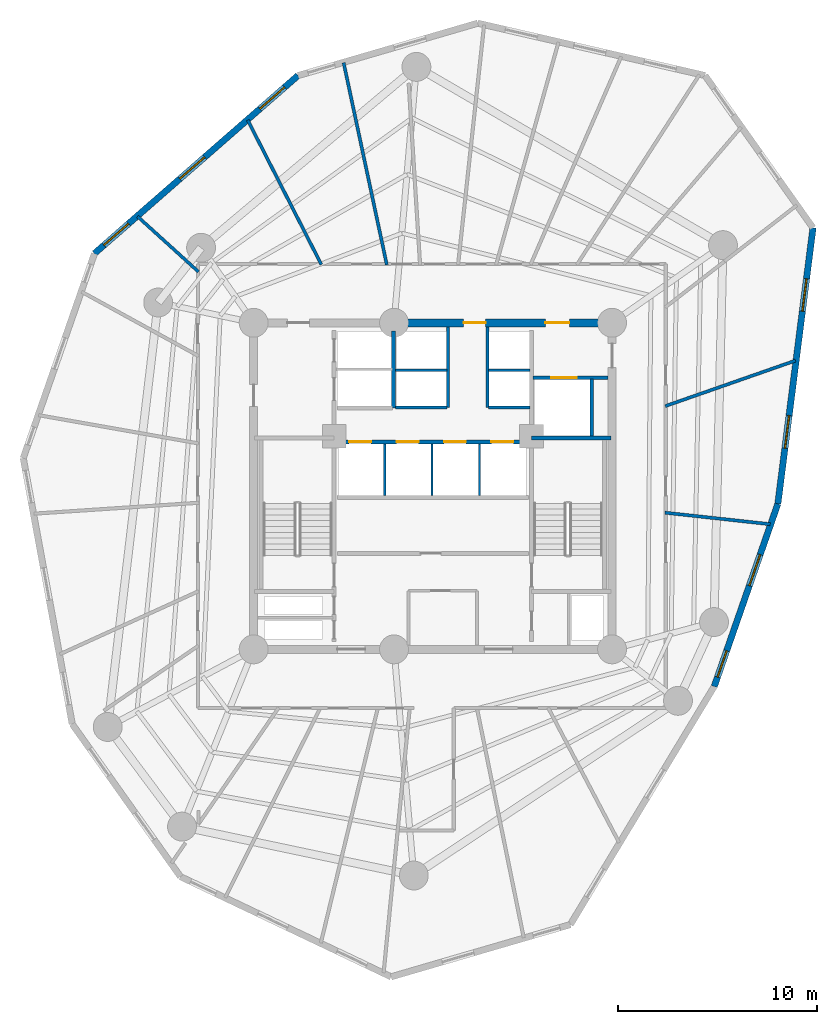
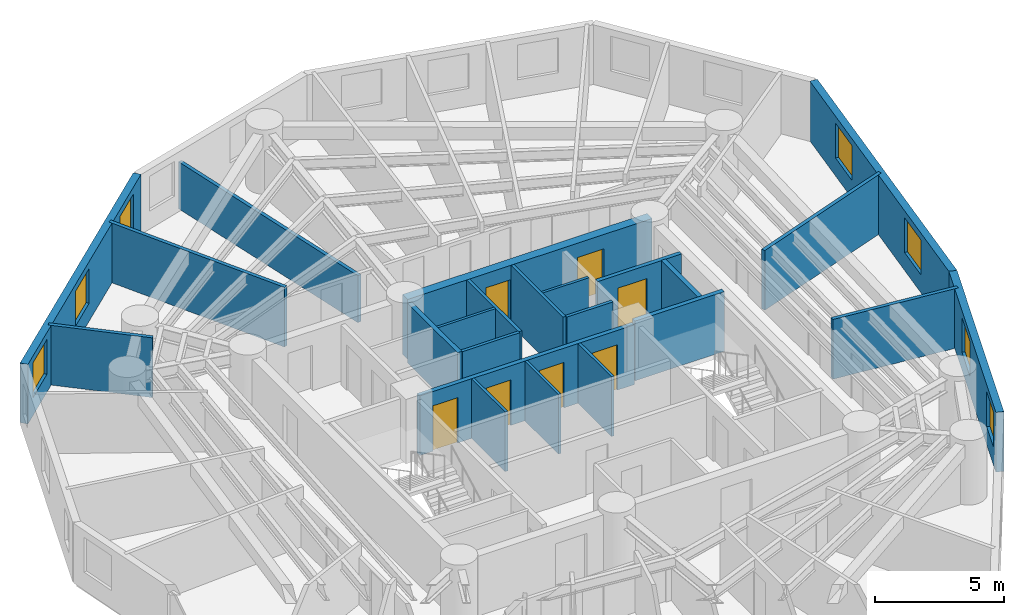
# One storey, part 5 of 7: 23 walls, 7 doors, 7 windows, 14 openings.
"""IFC4 building model written with IfcOpenShell, lengths in metres."""

from ifc_helpers import new_model, si_unit, direction, frame, frame_2d, origin, origin_with_axes, place, context, subcontext, project, spatial, rectangle, extrude, source, transform, mapped, material, layer, layer_set, type_object, element, fill, save


model = new_model("IFC4")

# Units and contexts
model_context = context("Model", 3, precision=1e-05, world=origin(), true_north=direction((0.0, 1.0)))
body_context = subcontext(model_context, "Body", "Model", "MODEL_VIEW")
ifc_project = project(units=[si_unit("LENGTHUNIT", "METRE"), si_unit("AREAUNIT", "SQUARE_METRE"), si_unit("VOLUMEUNIT", "CUBIC_METRE"), si_unit("PLANEANGLEUNIT", "RADIAN"), si_unit("MASSUNIT", "GRAM", prefix="KILO")], contexts=[model_context])

# Site, building, storey
site_placement = place(None, origin())
site = spatial("IfcSite", under=ifc_project, at=site_placement, CompositionType="ELEMENT")
building_placement = place(site_placement, origin())
building = spatial("IfcBuilding", under=site, at=building_placement, Name="Karkom Vertical University and Central Library", CompositionType="ELEMENT")
storey_placement = place(building_placement, frame((0.0, 0.0, 138.89990234375)))
storey = spatial("IfcBuildingStorey", under=building, at=storey_placement, Name="L39", CompositionType="ELEMENT", Elevation=138.89990234375)

# Wall, openings, windows
ifc_material_1 = material(Name="Brick-faced precast concrete C45/55", Category="masonry")
ifc_layer_1 = layer(ifc_material_1, 0.320068359375)
ifc_layer_set_1 = layer_set([ifc_layer_1], Name="Brick-faced precast concrete C45/55")
wall_type_1 = type_object("IfcWallType", Name="ENV-WL-BRK-320", PredefinedType="SOLIDWALL", material=ifc_layer_set_1)
wall_1_placement = place(storey_placement, frame((42.632568359375, 16.43603515625, 0.0), z_axis=(0.0, 0.0, 1.0), x_axis=(0.328875468635, 0.944373298082, 0.0)))
wall_1 = element("IfcWall", 1, at=wall_1_placement, inside=storey, type_object=wall_type_1, Name="Level 39 Brick-Faced Precast Facade Wall 07", PredefinedType="SOLIDWALL", context=body_context, shape_type="SweptSolid", body=[
    extrude(rectangle(XDim=9.712890625, YDim=0.320068359375, at=frame_2d((4.8564453125, 0.0))), origin(), (0.0, 0.0, 1.0), 2.8251953125),
])
opening_1_placement = place(wall_1_placement, frame((0.500732421875, 0.0, 0.85009765625)))
opening_1 = element("IfcOpeningElement", 2, at=opening_1_placement, cuts=wall_1, Name="Opening WN-07", PredefinedType="OPENING", context=body_context, shape_type="SweptSolid", body=[
    extrude(rectangle(XDim=1.39990234375, YDim=1.64990234375, at=frame_2d((0.699951171875, 0.824951171875))), frame((0.0, 0.169921875, 0.0), z_axis=(0.0, -1.0, 0.0), x_axis=(1.0, 0.0, 0.0)), (0.0, 0.0, 1.0), 0.340087890625),
])
opening_2_placement = place(wall_1_placement, frame((5.361328125, 0.0, 0.85009765625)))
opening_2 = element("IfcOpeningElement", 3, at=opening_2_placement, cuts=wall_1, Name="Opening WN-06", PredefinedType="OPENING", context=body_context, shape_type="SweptSolid", body=[
    extrude(rectangle(XDim=1.64990234375, YDim=1.64990234375, at=frame_2d((0.824951171875, 0.824951171875))), frame((0.0, 0.169921875, 0.0), z_axis=(0.0, -1.0, 0.0), x_axis=(1.0, 0.0, 0.0)), (0.0, 0.0, 1.0), 0.340087890625),
])
ifc_material_2 = material(Name="Aluminium thermal-break frame with solar-control IGU", Category="aluminium")
window_type_1 = type_object("IfcWindowType", Name="ENV-WIN-WN-06", PartitioningType="SINGLE_PANEL", PredefinedType="WINDOW", material=ifc_material_2)
shared_shape_1 = source(origin_with_axes(), body_context, "Body", "SweptSolid", [
    extrude(rectangle(XDim=1.64990234375, YDim=1.64990234375, at=frame_2d((0.824951171875, 0.824951171875))), frame((0.0, 0.030029296875, 0.0), z_axis=(0.0, -1.0, 0.0), x_axis=(1.0, 0.0, 0.0)), (0.0, 0.0, 1.0), 0.06005859375),
])
window_1_placement = place(opening_2_placement, origin())
window_1 = element("IfcWindow", 4, at=window_1_placement, inside=storey, type_object=window_type_1, Name="Level 39 Punched Window 7.2", OverallHeight=1.64990234375, OverallWidth=1.64990234375, PartitioningType="SINGLE_PANEL", PredefinedType="WINDOW", context=body_context, shape_type="MappedRepresentation", body=[
    mapped(shared_shape_1, transform((0.0, 0.0, 0.0), scale=1.0)),
])
fill(opening_2, window_1)
window_type_2 = type_object("IfcWindowType", Name="ENV-WIN-WN-07", PartitioningType="SINGLE_PANEL", PredefinedType="WINDOW", material=ifc_material_2)
shared_shape_2 = source(origin_with_axes(), body_context, "Body", "SweptSolid", [
    extrude(rectangle(XDim=1.39990234375, YDim=1.64990234375, at=frame_2d((0.699951171875, 0.824951171875))), frame((0.0, 0.030029296875, 0.0), z_axis=(0.0, -1.0, 0.0), x_axis=(1.0, 0.0, 0.0)), (0.0, 0.0, 1.0), 0.06005859375),
])
window_2_placement = place(opening_1_placement, origin())
window_2 = element("IfcWindow", 5, at=window_2_placement, inside=storey, type_object=window_type_2, Name="Level 39 Punched Window 7.1", OverallHeight=1.64990234375, OverallWidth=1.39990234375, PartitioningType="SINGLE_PANEL", PredefinedType="WINDOW", context=body_context, shape_type="MappedRepresentation", body=[
    mapped(shared_shape_2, transform((0.0, 0.0, 0.0), scale=1.0)),
])
fill(opening_1, window_2)

wall_2_placement = place(storey_placement, frame((45.826904296875, 25.608642578125, 0.0), z_axis=(0.0, 0.0, 1.0), x_axis=(0.126380247914, 0.991981871274, 0.0)))
wall_2 = element("IfcWall", 6, at=wall_2_placement, inside=storey, type_object=wall_type_1, Name="Level 39 Brick-Faced Precast Facade Wall 08", PredefinedType="SOLIDWALL", context=body_context, shape_type="SweptSolid", body=[
    extrude(rectangle(XDim=13.974609375, YDim=0.320068359375, at=frame_2d((6.9873046875, 0.0))), origin(), (0.0, 0.0, 1.0), 2.8251953125),
])
opening_3_placement = place(wall_2_placement, frame((2.820556640625, 0.0, 0.85009765625)))
opening_3 = element("IfcOpeningElement", 7, at=opening_3_placement, cuts=wall_2, Name="Opening WN-06", PredefinedType="OPENING", context=body_context, shape_type="SweptSolid", body=[
    extrude(rectangle(XDim=1.64990234375, YDim=1.64990234375, at=frame_2d((0.824951171875, 0.824951171875))), frame((0.0, 0.169921875, 0.0), z_axis=(0.0, -1.0, 0.0), x_axis=(1.0, 0.0, 0.0)), (0.0, 0.0, 1.0), 0.340087890625),
])
opening_4_placement = place(wall_2_placement, frame((9.747802734375, 0.0, 0.85009765625)))
opening_4 = element("IfcOpeningElement", 8, at=opening_4_placement, cuts=wall_2, Name="Opening WN-06", PredefinedType="OPENING", context=body_context, shape_type="SweptSolid", body=[
    extrude(rectangle(XDim=1.64990234375, YDim=1.64990234375, at=frame_2d((0.824951171875, 0.824951171875))), frame((0.0, 0.169921875, 0.0), z_axis=(0.0, -1.0, 0.0), x_axis=(1.0, 0.0, 0.0)), (0.0, 0.0, 1.0), 0.340087890625),
])
window_3_placement = place(opening_3_placement, origin())
window_3 = element("IfcWindow", 9, at=window_3_placement, inside=storey, type_object=window_type_1, Name="Level 39 Punched Window 8.1", OverallHeight=1.64990234375, OverallWidth=1.64990234375, PartitioningType="SINGLE_PANEL", PredefinedType="WINDOW", context=body_context, shape_type="MappedRepresentation", body=[
    mapped(shared_shape_1, transform((0.0, 0.0, 0.0), scale=1.0)),
])
fill(opening_3, window_3)
window_4_placement = place(opening_4_placement, origin())
window_4 = element("IfcWindow", 10, at=window_4_placement, inside=storey, type_object=window_type_1, Name="Level 39 Punched Window 8.2", OverallHeight=1.64990234375, OverallWidth=1.64990234375, PartitioningType="SINGLE_PANEL", PredefinedType="WINDOW", context=body_context, shape_type="MappedRepresentation", body=[
    mapped(shared_shape_1, transform((0.0, 0.0, 0.0), scale=1.0)),
])
fill(opening_4, window_4)

wall_3_placement = place(storey_placement, frame((21.72900390625, 47.118408203125, 0.0), z_axis=(0.0, 0.0, 1.0), x_axis=(-0.752865011048, -0.65817495785, 0.0)))
wall_3 = element("IfcWall", 11, at=wall_3_placement, inside=storey, type_object=wall_type_1, Name="Level 39 Brick-Faced Precast Facade Wall 12", PredefinedType="SOLIDWALL", context=body_context, shape_type="SweptSolid", body=[
    extrude(rectangle(XDim=13.58251953125, YDim=0.320068359375, at=frame_2d((6.791259765625, 0.0))), origin(), (0.0, 0.0, 1.0), 2.8251953125),
])
opening_5_placement = place(wall_3_placement, frame((0.897705078125, 0.0, 0.85009765625)))
opening_5 = element("IfcOpeningElement", 12, at=opening_5_placement, cuts=wall_3, Name="Opening WN-06", PredefinedType="OPENING", context=body_context, shape_type="SweptSolid", body=[
    extrude(rectangle(XDim=1.64990234375, YDim=1.64990234375, at=frame_2d((0.824951171875, 0.824951171875))), frame((0.0, 0.169921875, 0.0), z_axis=(0.0, -1.0, 0.0), x_axis=(1.0, 0.0, 0.0)), (0.0, 0.0, 1.0), 0.340087890625),
])
opening_6_placement = place(wall_3_placement, frame((6.2294921875, 0.0, 0.85009765625)))
opening_6 = element("IfcOpeningElement", 13, at=opening_6_placement, cuts=wall_3, Name="Opening WN-06", PredefinedType="OPENING", context=body_context, shape_type="SweptSolid", body=[
    extrude(rectangle(XDim=1.64990234375, YDim=1.64990234375, at=frame_2d((0.824951171875, 0.824951171875))), frame((0.0, 0.169921875, 0.0), z_axis=(0.0, -1.0, 0.0), x_axis=(1.0, 0.0, 0.0)), (0.0, 0.0, 1.0), 0.340087890625),
])
opening_7_placement = place(wall_3_placement, frame((11.298095703125, 0.0, 0.85009765625)))
opening_7 = element("IfcOpeningElement", 14, at=opening_7_placement, cuts=wall_3, Name="Opening WN-06", PredefinedType="OPENING", context=body_context, shape_type="SweptSolid", body=[
    extrude(rectangle(XDim=1.64990234375, YDim=1.64990234375, at=frame_2d((0.824951171875, 0.824951171875))), frame((0.0, 0.169921875, 0.0), z_axis=(0.0, -1.0, 0.0), x_axis=(1.0, 0.0, 0.0)), (0.0, 0.0, 1.0), 0.340087890625),
])
window_5_placement = place(opening_5_placement, origin())
window_5 = element("IfcWindow", 15, at=window_5_placement, inside=storey, type_object=window_type_1, Name="Level 39 Punched Window 12.1", OverallHeight=1.64990234375, OverallWidth=1.64990234375, PartitioningType="SINGLE_PANEL", PredefinedType="WINDOW", context=body_context, shape_type="MappedRepresentation", body=[
    mapped(shared_shape_1, transform((0.0, 0.0, 0.0), scale=1.0)),
])
fill(opening_5, window_5)
window_6_placement = place(opening_6_placement, origin())
window_6 = element("IfcWindow", 16, at=window_6_placement, inside=storey, type_object=window_type_1, Name="Level 39 Punched Window 12.2", OverallHeight=1.64990234375, OverallWidth=1.64990234375, PartitioningType="SINGLE_PANEL", PredefinedType="WINDOW", context=body_context, shape_type="MappedRepresentation", body=[
    mapped(shared_shape_1, transform((0.0, 0.0, 0.0), scale=1.0)),
])
fill(opening_6, window_6)
window_7_placement = place(opening_7_placement, origin())
window_7 = element("IfcWindow", 17, at=window_7_placement, inside=storey, type_object=window_type_1, Name="Level 39 Punched Window 12.3", OverallHeight=1.64990234375, OverallWidth=1.64990234375, PartitioningType="SINGLE_PANEL", PredefinedType="WINDOW", context=body_context, shape_type="MappedRepresentation", body=[
    mapped(shared_shape_1, transform((0.0, 0.0, 0.0), scale=1.0)),
])
fill(opening_7, window_7)

# Walls
ifc_material_3 = material(Name="Insulated metal-stud drywall 160mm", Category="gypsum")
ifc_layer_2 = layer(ifc_material_3, 0.159912109375)
ifc_layer_set_2 = layer_set([ifc_layer_2], Name="Insulated metal-stud drywall 160mm")
wall_type_2 = type_object("IfcWallType", Name="INT-WL-COR-160", PredefinedType="PARTITIONING", material=ifc_layer_set_2)
wall_4_placement = place(storey_placement, frame((26.189208984375, 37.60595703125, 0.0), z_axis=(0.0, 0.0, 1.0), x_axis=(-0.208904428706, 0.977936061134, 0.0)))
element("IfcWall", 18, at=wall_4_placement, inside=storey, type_object=wall_type_2, Name="Level 39 Interior Partition Wall L39-PW-022", PredefinedType="PARTITIONING", context=body_context, shape_type="SweptSolid", body=[
    extrude(rectangle(XDim=10.383544921875, YDim=0.159912109375, at=frame_2d((5.19189453125, 0.0))), origin(), (0.0, 0.0, 1.0), 2.22509765625),
])
wall_5_placement = place(storey_placement, frame((22.89990234375, 37.623291015625, 0.0), z_axis=(0.0, 0.0, 1.0), x_axis=(-0.454015192345, 0.890993942247, 0.0)))
element("IfcWall", 19, at=wall_5_placement, inside=storey, type_object=wall_type_2, Name="Level 39 Interior Partition Wall L39-PW-023", PredefinedType="PARTITIONING", context=body_context, shape_type="SweptSolid", body=[
    extrude(rectangle(XDim=8.1396484375, YDim=0.159912109375, at=frame_2d((4.06982421875, 0.0))), origin(), (0.0, 0.0, 1.0), 2.8251953125),
])
wall_6_placement = place(storey_placement, frame((40.171630859375, 30.515625, 0.0), z_axis=(0.0, 0.0, 1.0), x_axis=(0.9440022189, 0.329939101521, 0.0)))
element("IfcWall", 20, at=wall_6_placement, inside=storey, type_object=wall_type_2, Name="Level 39 Interior Partition Wall L39-PW-013", PredefinedType="PARTITIONING", context=body_context, shape_type="SweptSolid", body=[
    extrude(rectangle(XDim=6.927490234375, YDim=0.159912109375, at=frame_2d((3.4638671875, 0.0))), origin(), (0.0, 0.0, 1.0), 2.8251953125),
])
wall_7_placement = place(storey_placement, frame((40.1552734375, 25.163330078125, 0.0), z_axis=(0.0, 0.0, 1.0), x_axis=(0.994058815473, -0.108844252863, 0.0)))
element("IfcWall", 21, at=wall_7_placement, inside=storey, type_object=wall_type_2, Name="Level 39 Interior Partition Wall L39-PW-012", PredefinedType="PARTITIONING", context=body_context, shape_type="SweptSolid", body=[
    extrude(rectangle(XDim=5.318115234375, YDim=0.159912109375, at=frame_2d((2.6591796875, 0.0))), origin(), (0.0, 0.0, 1.0), 2.8251953125),
])
wall_8_placement = place(storey_placement, frame((16.7333984375, 37.25830078125, 0.0), z_axis=(0.0, 0.0, 1.0), x_axis=(-0.740583141738, 0.671964738787, 0.0)))
element("IfcWall", 22, at=wall_8_placement, inside=storey, type_object=wall_type_2, Name="Level 39 Interior Partition Wall L39-PW-024", PredefinedType="PARTITIONING", context=body_context, shape_type="SweptSolid", body=[
    extrude(rectangle(XDim=4.137939453125, YDim=0.159912109375, at=frame_2d((2.06884765625, 0.0))), origin(), (0.0, 0.0, 1.0), 2.8251953125),
])
ifc_material_4 = material(Name="Moisture-resistant drywall 120mm", Category="gypsum")
ifc_layer_3 = layer(ifc_material_4, 0.1201171875)
ifc_layer_set_3 = layer_set([ifc_layer_3], Name="Moisture-resistant drywall 120mm")
wall_type_3 = type_object("IfcWallType", Name="INT-WL-INT-120H", PredefinedType="PARTITIONING", material=ifc_layer_set_3)
for number, where, z_axis, x_axis, name in (
    (23, (26.080078125, 26.02001953125, 0.0), (0.0, 0.0, 1.0), (0.0, 1.0, 0.0), "Level 39 Interior Partition Wall L39-CW-PM-DIV1"),
    (24, (28.4599609375, 26.02001953125, 0.0), (0.0, 0.0, 1.0), (0.0, 1.0, 0.0), "Level 39 Interior Partition Wall L39-CW-PM-DIV2"),
    (25, (30.840087890625, 26.02001953125, 0.0), (0.0, 0.0, 1.0), (0.0, 1.0, 0.0), "Level 39 Interior Partition Wall L39-CW-PM-DIV3"),
):
    element("IfcWall", number, at=place(storey_placement, frame(where, z_axis=z_axis, x_axis=x_axis)), inside=storey, type_object=wall_type_3, Name=name, PredefinedType="PARTITIONING", context=body_context, shape_type="SweptSolid", body=[
        extrude(rectangle(XDim=2.60009765625, YDim=0.1201171875, at=frame_2d((1.300048828125, 0.0))), origin(), (0.0, 0.0, 1.0), 2.8251953125),
    ])
wall_9_placement = place(storey_placement, frame((26.6201171875, 32.320068359375, 0.0), z_axis=(0.0, 0.0, 1.0), x_axis=(1.0, 0.0, 0.0)))
element("IfcWall", 26, at=wall_9_placement, inside=storey, type_object=wall_type_3, Name="Level 39 Interior Partition Wall L39-CW-PH-MW", PredefinedType="PARTITIONING", context=body_context, shape_type="SweptSolid", body=[
    extrude(rectangle(XDim=2.579833984375, YDim=0.1201171875, at=frame_2d((1.2900390625, 0.0))), origin(), (0.0, 0.0, 1.0), 2.8251953125),
])
wall_10_placement = place(storey_placement, frame((31.300048828125, 32.320068359375, 0.0), z_axis=(0.0, 0.0, 1.0), x_axis=(1.0, 0.0, 0.0)))
element("IfcWall", 27, at=wall_10_placement, inside=storey, type_object=wall_type_3, Name="Level 39 Interior Partition Wall L39-CW-PH-ME", PredefinedType="PARTITIONING", context=body_context, shape_type="SweptSolid", body=[
    extrude(rectangle(XDim=2.074951171875, YDim=0.1201171875, at=frame_2d((1.03759765625, 0.0))), origin(), (0.0, 0.0, 1.0), 2.8251953125),
])
ifc_material_5 = material(Name="Metal-stud gypsum partition 140mm", Category="gypsum")
ifc_layer_4 = layer(ifc_material_5, 0.139892578125)
ifc_layer_set_4 = layer_set([ifc_layer_4], Name="Metal-stud gypsum partition 140mm")
wall_type_4 = type_object("IfcWallType", Name="INT-WL-SUB-140H", PredefinedType="PARTITIONING", material=ifc_layer_set_4)
for number, where, z_axis, x_axis, name in (
    (28, (29.260009765625, 30.449951171875, 0.0), (0.0, 0.0, 1.0), (0.0, 1.0, 0.0), "Level 39 Interior Partition Wall L39-CW-PH-W"),
    (29, (31.239990234375, 30.449951171875, 0.0), (0.0, 0.0, 1.0), (0.0, 1.0, 0.0), "Level 39 Interior Partition Wall L39-CW-PH-E"),
):
    element("IfcWall", number, at=place(storey_placement, frame(where, z_axis=z_axis, x_axis=x_axis)), inside=storey, type_object=wall_type_4, Name=name, PredefinedType="PARTITIONING", context=body_context, shape_type="SweptSolid", body=[
        extrude(rectangle(XDim=4.04296875, YDim=0.139892578125, at=frame_2d((2.021484375, 0.0))), origin(), (0.0, 0.0, 1.0), 2.8251953125),
    ])
wall_11_placement = place(storey_placement, frame((26.6201171875, 30.449951171875, 0.0), z_axis=(0.0, 0.0, 1.0), x_axis=(1.0, 0.0, 0.0)))
element("IfcWall", 30, at=wall_11_placement, inside=storey, type_object=wall_type_4, Name="Level 39 Interior Partition Wall L39-CW-PH-S1", PredefinedType="PARTITIONING", context=body_context, shape_type="SweptSolid", body=[
    extrude(rectangle(XDim=2.579833984375, YDim=0.139892578125, at=frame_2d((1.2900390625, 0.0))), origin(), (0.0, 0.0, 1.0), 2.8251953125),
])
wall_12_placement = place(storey_placement, frame((31.300048828125, 30.449951171875, 0.0), z_axis=(0.0, 0.0, 1.0), x_axis=(1.0, 0.0, 0.0)))
element("IfcWall", 31, at=wall_12_placement, inside=storey, type_object=wall_type_4, Name="Level 39 Interior Partition Wall L39-CW-PH-S2", PredefinedType="PARTITIONING", context=body_context, shape_type="SweptSolid", body=[
    extrude(rectangle(XDim=2.074951171875, YDim=0.139892578125, at=frame_2d((1.03759765625, 0.0))), origin(), (0.0, 0.0, 1.0), 2.8251953125),
])

# Wall, opening, door
ifc_material_6 = material(Name="Twin-stud acoustic drywall 180mm", Category="gypsum")
ifc_layer_5 = layer(ifc_material_6, 0.179931640625)
ifc_layer_set_5 = layer_set([ifc_layer_5], Name="Twin-stud acoustic drywall 180mm")
wall_type_5 = type_object("IfcWallType", Name="INT-WL-TEN-180F", PredefinedType="PARTITIONING", material=ifc_layer_set_5)
wall_13_placement = place(storey_placement, frame((33.534912109375, 31.949951171875, 0.0), z_axis=(0.0, 0.0, 1.0), x_axis=(1.0, 0.0, 0.0)))
wall_13 = element("IfcWall", 32, at=wall_13_placement, inside=storey, type_object=wall_type_5, Name="Level 39 Interior Partition Wall L39-CW-SVL-N", PredefinedType="PARTITIONING", context=body_context, shape_type="SweptSolid", body=[
    extrude(rectangle(XDim=3.7587890625, YDim=0.179931640625, at=frame_2d((1.87939453125, 0.0))), origin(), (0.0, 0.0, 1.0), 2.8251953125),
])
opening_8_placement = place(wall_13_placement, frame((0.89990234375, 0.0, 0.0)))
opening_8 = element("IfcOpeningElement", 33, at=opening_8_placement, cuts=wall_13, Name="Opening LD-SV1", PredefinedType="OPENING", context=body_context, shape_type="SweptSolid", body=[
    extrude(rectangle(XDim=1.300048828125, YDim=2.199951171875, at=frame_2d((0.64990234375, 1.10009765625))), frame((0.0, 0.10009765625, 0.0), z_axis=(0.0, -1.0, 0.0), x_axis=(1.0, 0.0, 0.0)), (0.0, 0.0, 1.0), 0.199951171875),
])
ifc_material_7 = material(Name="Brushed stainless-steel landing door", Category="steel")
door_type_1 = type_object("IfcDoorType", Name="INT-DR-LD-SV1", OperationType="SLIDING_TO_LEFT", PredefinedType="DOOR", material=ifc_material_7)
shared_shape_3 = source(origin_with_axes(), body_context, "Body", "SweptSolid", [
    extrude(rectangle(XDim=1.300048828125, YDim=2.199951171875, at=frame_2d((0.64990234375, 1.10009765625))), frame((0.0, 0.02490234375, 0.0), z_axis=(0.0, -1.0, 0.0), x_axis=(1.0, 0.0, 0.0)), (0.0, 0.0, 1.0), 0.050048828125),
])
door_1_placement = place(opening_8_placement, origin())
door_1 = element("IfcDoor", 34, at=door_1_placement, inside=storey, type_object=door_type_1, Name="Level 39 Service Lift Landing Door LD-SV1", OperationType="SLIDING_TO_LEFT", OverallHeight=2.199951171875, OverallWidth=1.300048828125, PredefinedType="DOOR", context=body_context, shape_type="MappedRepresentation", body=[
    mapped(shared_shape_3, transform((0.0, 0.0, 0.0), scale=1.0)),
])
fill(opening_8, door_1)

# Wall, openings, doors
ifc_material_8 = material(Name="Concrete C50/60", Category="concrete")
ifc_layer_6 = layer(ifc_material_8, 0.39990234375)
ifc_layer_set_6 = layer_set([ifc_layer_6], Name="Concrete C50/60")
wall_type_6 = type_object("IfcWallType", Name="STR-WL-CW-400", PredefinedType="SHEAR", material=ifc_layer_set_6)
wall_14_placement = place(storey_placement, frame((37.5, 34.699951171875, 0.0), z_axis=(0.0, 0.0, 1.0), x_axis=(-1.0, 0.0, 0.0)))
wall_14 = element("IfcWall", 35, at=wall_14_placement, inside=storey, type_object=wall_type_6, Name="Level 39 Central Core Shear Wall NW1", PredefinedType="SHEAR", context=body_context, shape_type="SweptSolid", body=[
    extrude(rectangle(XDim=10.949951171875, YDim=0.39990234375, at=frame_2d((5.47509765625, 0.0))), origin(), (0.0, 0.0, 1.0), 2.8251953125),
])
opening_9_placement = place(wall_14_placement, frame((2.14990234375, 0.0, 0.0)))
opening_9 = element("IfcOpeningElement", 36, at=opening_9_placement, cuts=wall_14, Name="Opening FD-SUB1", PredefinedType="OPENING", context=body_context, shape_type="SweptSolid", body=[
    extrude(rectangle(XDim=1.199951171875, YDim=2.14990234375, at=frame_2d((0.60009765625, 1.074951171875))), frame((0.0, 0.2099609375, 0.0), z_axis=(0.0, -1.0, 0.0), x_axis=(1.0, 0.0, 0.0)), (0.0, 0.0, 1.0), 0.419921875),
])
opening_10_placement = place(wall_14_placement, frame((6.35009765625, 0.0, 0.0)))
opening_10 = element("IfcOpeningElement", 37, at=opening_10_placement, cuts=wall_14, Name="Opening FD-FFL", PredefinedType="OPENING", context=body_context, shape_type="SweptSolid", body=[
    extrude(rectangle(XDim=1.10009765625, YDim=2.14990234375, at=frame_2d((0.550048828125, 1.074951171875))), frame((0.0, 0.2099609375, 0.0), z_axis=(0.0, -1.0, 0.0), x_axis=(1.0, 0.0, 0.0)), (0.0, 0.0, 1.0), 0.419921875),
])
ifc_material_9 = material(Name="Painted steel smoke-seal fire door", Category="steel")
door_type_2 = type_object("IfcDoorType", Name="INT-DR-FFL", OperationType="NOTDEFINED", PredefinedType="DOOR", material=ifc_material_9)
shared_shape_4 = source(origin_with_axes(), body_context, "Body", "SweptSolid", [
    extrude(rectangle(XDim=1.10009765625, YDim=2.14990234375, at=frame_2d((0.550048828125, 1.074951171875))), frame((0.0, 0.02490234375, 0.0), z_axis=(0.0, -1.0, 0.0), x_axis=(1.0, 0.0, 0.0)), (0.0, 0.0, 1.0), 0.050048828125),
])
door_2_placement = place(opening_10_placement, origin())
door_2 = element("IfcDoor", 38, at=door_2_placement, inside=storey, type_object=door_type_2, Name="Level 39 North Core Lobby Exit Door", OperationType="SINGLE_SWING_RIGHT", OverallHeight=2.14990234375, OverallWidth=1.10009765625, PredefinedType="DOOR", context=body_context, shape_type="MappedRepresentation", body=[
    mapped(shared_shape_4, transform((0.0, 0.0, 0.0), scale=1.0)),
])
fill(opening_10, door_2)
ifc_material_10 = material(Name="Painted steel fire door", Category="steel")
door_type_3 = type_object("IfcDoorType", Name="INT-DR-SUB1", OperationType="NOTDEFINED", PredefinedType="DOOR", material=ifc_material_10)
shared_shape_5 = source(origin_with_axes(), body_context, "Body", "SweptSolid", [
    extrude(rectangle(XDim=1.199951171875, YDim=2.14990234375, at=frame_2d((0.60009765625, 1.074951171875))), frame((0.0, 0.02490234375, 0.0), z_axis=(0.0, -1.0, 0.0), x_axis=(1.0, 0.0, 0.0)), (0.0, 0.0, 1.0), 0.050048828125),
])
door_3_placement = place(opening_9_placement, origin())
door_3 = element("IfcDoor", 39, at=door_3_placement, inside=storey, type_object=door_type_3, Name="Level 39 Service Lobby Fire Door", OperationType="SINGLE_SWING_RIGHT", OverallHeight=2.14990234375, OverallWidth=1.199951171875, PredefinedType="DOOR", context=body_context, shape_type="MappedRepresentation", body=[
    mapped(shared_shape_5, transform((0.0, 0.0, 0.0), scale=1.0)),
])
fill(opening_9, door_3)

ifc_material_11 = material(Name="Concrete C45/55", Category="concrete")
ifc_layer_7 = layer(ifc_material_11, 0.199951171875)
ifc_layer_set_7 = layer_set([ifc_layer_7], Name="Concrete C45/55")
wall_type_7 = type_object("IfcWallType", Name="STR-WL-ST-200", PredefinedType="SHEAR", material=ifc_layer_set_7)
wall_15_placement = place(storey_placement, frame((23.699951171875, 28.719970703125, 0.0), z_axis=(0.0, 0.0, 1.0), x_axis=(1.0, 0.0, 0.0)))
wall_15 = element("IfcWall", 40, at=wall_15_placement, inside=storey, type_object=wall_type_7, Name="Level 39 Core Shaft Wall L39-CW-B2-N", PredefinedType="SHEAR", context=body_context, shape_type="SweptSolid", body=[
    extrude(rectangle(XDim=9.60009765625, YDim=0.199951171875, at=frame_2d((4.800048828125, 0.0))), origin(), (0.0, 0.0, 1.0), 2.8251953125),
])
opening_11_placement = place(wall_15_placement, frame((0.60009765625, 0.0, 0.0)))
opening_11 = element("IfcOpeningElement", 41, at=opening_11_placement, cuts=wall_15, Name="Opening LD-PAX", PredefinedType="OPENING", context=body_context, shape_type="SweptSolid", body=[
    extrude(rectangle(XDim=1.10009765625, YDim=2.14990234375, at=frame_2d((0.550048828125, 1.074951171875))), frame((0.0, 0.10986328125, 0.0), z_axis=(0.0, -1.0, 0.0), x_axis=(1.0, 0.0, 0.0)), (0.0, 0.0, 1.0), 0.219970703125),
])
opening_12_placement = place(wall_15_placement, frame((2.97998046875, 0.0, 0.0)))
opening_12 = element("IfcOpeningElement", 42, at=opening_12_placement, cuts=wall_15, Name="Opening LD-PAX", PredefinedType="OPENING", context=body_context, shape_type="SweptSolid", body=[
    extrude(rectangle(XDim=1.10009765625, YDim=2.14990234375, at=frame_2d((0.550048828125, 1.074951171875))), frame((0.0, 0.10986328125, 0.0), z_axis=(0.0, -1.0, 0.0), x_axis=(1.0, 0.0, 0.0)), (0.0, 0.0, 1.0), 0.219970703125),
])
opening_13_placement = place(wall_15_placement, frame((5.360107421875, 0.0, 0.0)))
opening_13 = element("IfcOpeningElement", 43, at=opening_13_placement, cuts=wall_15, Name="Opening LD-PAX", PredefinedType="OPENING", context=body_context, shape_type="SweptSolid", body=[
    extrude(rectangle(XDim=1.10009765625, YDim=2.14990234375, at=frame_2d((0.550048828125, 1.074951171875))), frame((0.0, 0.10986328125, 0.0), z_axis=(0.0, -1.0, 0.0), x_axis=(1.0, 0.0, 0.0)), (0.0, 0.0, 1.0), 0.219970703125),
])
opening_14_placement = place(wall_15_placement, frame((7.739990234375, 0.0, 0.0)))
opening_14 = element("IfcOpeningElement", 44, at=opening_14_placement, cuts=wall_15, Name="Opening LD-PAX", PredefinedType="OPENING", context=body_context, shape_type="SweptSolid", body=[
    extrude(rectangle(XDim=1.10009765625, YDim=2.14990234375, at=frame_2d((0.550048828125, 1.074951171875))), frame((0.0, 0.10986328125, 0.0), z_axis=(0.0, -1.0, 0.0), x_axis=(1.0, 0.0, 0.0)), (0.0, 0.0, 1.0), 0.219970703125),
])
door_type_4 = type_object("IfcDoorType", Name="INT-DR-LD-PAX", OperationType="SLIDING_TO_LEFT", PredefinedType="DOOR", material=ifc_material_7)
door_4_placement = place(opening_11_placement, origin())
door_4 = element("IfcDoor", 45, at=door_4_placement, inside=storey, type_object=door_type_4, Name="Level 39 Lift PM-1 Landing Door", OperationType="SLIDING_TO_LEFT", OverallHeight=2.14990234375, OverallWidth=1.10009765625, PredefinedType="DOOR", context=body_context, shape_type="MappedRepresentation", body=[
    mapped(shared_shape_4, transform((0.0, 0.0, 0.0), scale=1.0)),
])
fill(opening_11, door_4)
door_5_placement = place(opening_12_placement, origin())
door_5 = element("IfcDoor", 46, at=door_5_placement, inside=storey, type_object=door_type_4, Name="Level 39 Lift PM-2 Landing Door", OperationType="SLIDING_TO_RIGHT", OverallHeight=2.14990234375, OverallWidth=1.10009765625, PredefinedType="DOOR", context=body_context, shape_type="MappedRepresentation", body=[
    mapped(shared_shape_4, transform((0.0, 0.0, 0.0), scale=1.0)),
])
fill(opening_12, door_5)
door_6_placement = place(opening_13_placement, origin())
door_6 = element("IfcDoor", 47, at=door_6_placement, inside=storey, type_object=door_type_4, Name="Level 39 Lift PM-3 Landing Door", OperationType="SLIDING_TO_LEFT", OverallHeight=2.14990234375, OverallWidth=1.10009765625, PredefinedType="DOOR", context=body_context, shape_type="MappedRepresentation", body=[
    mapped(shared_shape_4, transform((0.0, 0.0, 0.0), scale=1.0)),
])
fill(opening_13, door_6)
door_7_placement = place(opening_14_placement, origin())
door_7 = element("IfcDoor", 48, at=door_7_placement, inside=storey, type_object=door_type_4, Name="Level 39 Lift PM-4 Landing Door", OperationType="SLIDING_TO_RIGHT", OverallHeight=2.14990234375, OverallWidth=1.10009765625, PredefinedType="DOOR", context=body_context, shape_type="MappedRepresentation", body=[
    mapped(shared_shape_4, transform((0.0, 0.0, 0.0), scale=1.0)),
])
fill(opening_14, door_7)

# Walls
wall_16_placement = place(storey_placement, frame((33.455078125, 28.925048828125, 0.0), z_axis=(0.0, 0.0, 1.0), x_axis=(1.0, 0.0, 0.0)))
element("IfcWall", 49, at=wall_16_placement, inside=storey, type_object=wall_type_7, Name="Level 39 Core Shaft Wall L39-CW-ST2-N", PredefinedType="SHEAR", context=body_context, shape_type="SweptSolid", body=[
    extrude(rectangle(XDim=3.994873046875, YDim=0.199951171875, at=frame_2d((1.99755859375, 0.0))), origin(), (0.0, 0.0, 1.0), 2.8251953125),
])
wall_17_placement = place(storey_placement, frame((26.52001953125, 30.419921875, 0.0), z_axis=(0.0, 0.0, 1.0), x_axis=(0.0, 1.0, 0.0)))
element("IfcWall", 50, at=wall_17_placement, inside=storey, type_object=wall_type_7, Name="Level 39 Core Shaft Wall L39-CW-FFL-E", PredefinedType="SHEAR", context=body_context, shape_type="SweptSolid", body=[
    extrude(rectangle(XDim=3.860107421875, YDim=0.199951171875, at=frame_2d((1.93017578125, 0.0))), origin(), (0.0, 0.0, 1.0), 2.8251953125),
])
wall_18_placement = place(storey_placement, frame((36.47998046875, 29.02001953125, 0.0), z_axis=(0.0, 0.0, 1.0), x_axis=(0.0, 1.0, 0.0)))
element("IfcWall", 51, at=wall_18_placement, inside=storey, type_object=wall_type_7, Name="Level 39 Core Shaft Wall L39-CW-SVL-E", PredefinedType="SHEAR", context=body_context, shape_type="SweptSolid", body=[
    extrude(rectangle(XDim=2.85986328125, YDim=0.199951171875, at=frame_2d((1.429931640625, 0.0))), origin(), (0.0, 0.0, 1.0), 2.8251953125),
])

save(model, "model.ifc")
